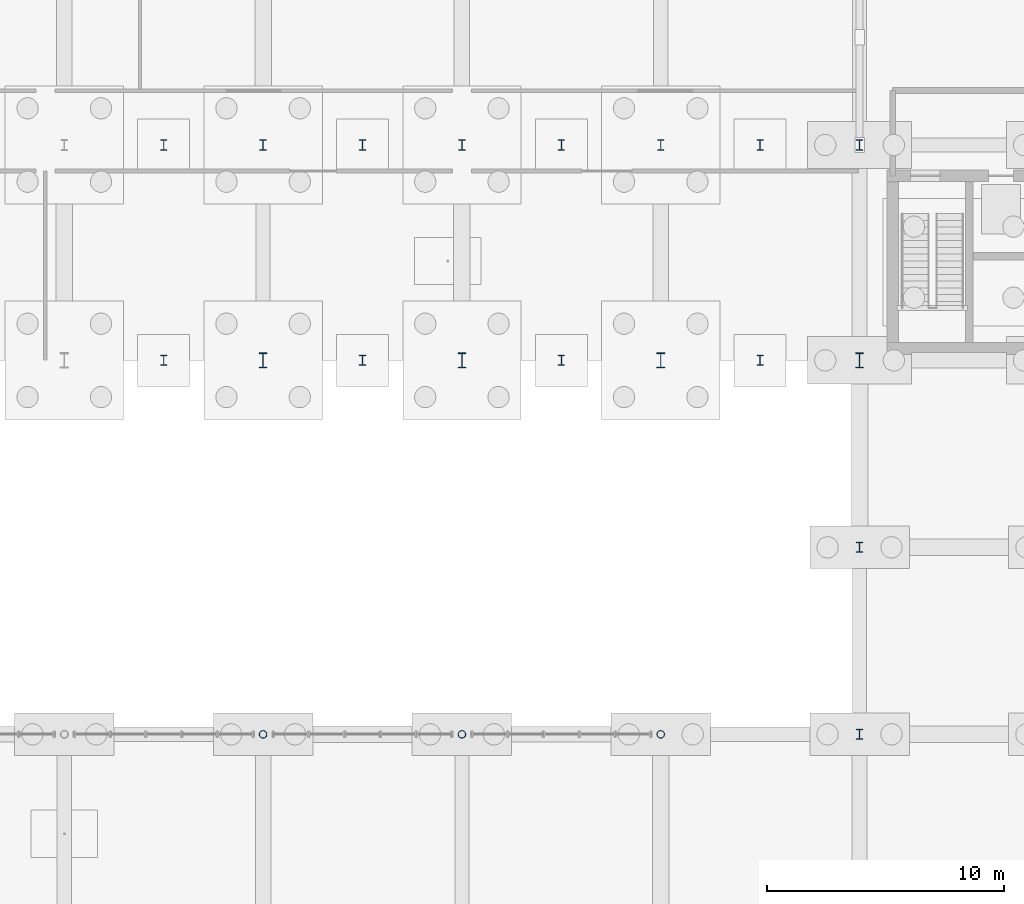
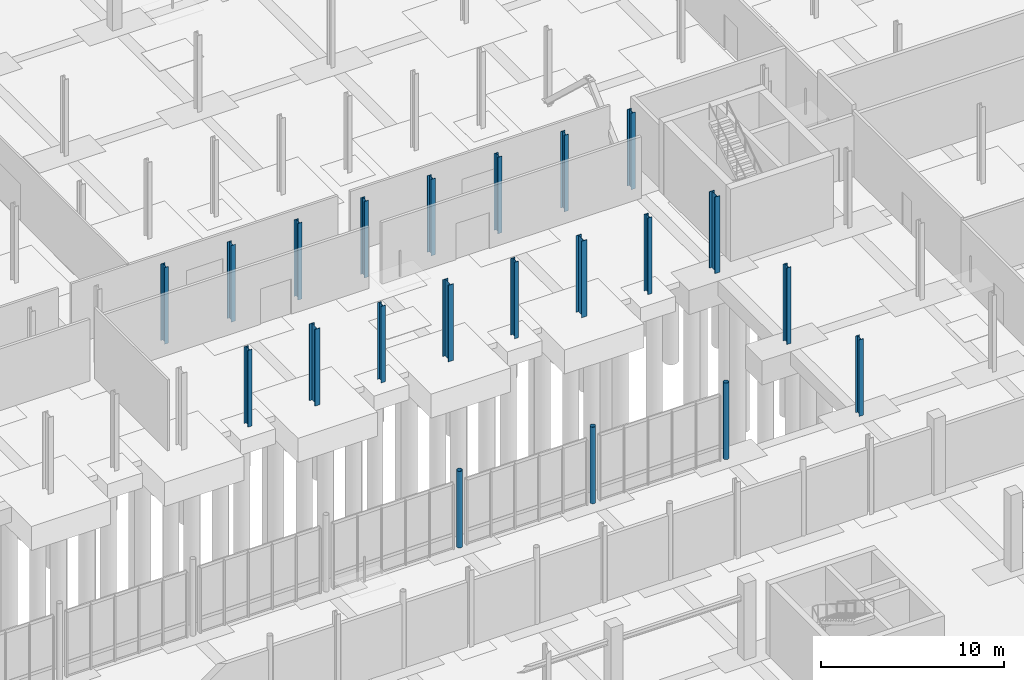
# One storey, part 18 of 119: 21 columns.
"""IFC4 building model written with IfcOpenShell, lengths in metres."""

import ifcopenshell
import ifcopenshell.guid

model = None  # the IFC model being written
_history = None  # IfcOwnerHistory: only IFC2X3 demands one
_inside = {}  # id of a spatial element -> (the spatial element, [elements in it])
_under = {}  # id of a project, library or spatial element -> (it, [spatial elements below it])
_declared = {}  # id of a project -> (the project, [libraries it declares])
_typed = {}  # id of a type object -> (the type object, [elements of that type])
_made_of = {}  # id of a material, layer set ... -> (it, [elements and type objects made of it])


def new_model(schema):
    """Start an empty IFC model of exactly this schema.

    Asked for "IFC4X3", IfcOpenShell would pick the latest addendum, in which some entities
    have other attributes; the version numbers below select the first issue.
    IFC2X3 requires an IfcOwnerHistory on every rooted entity: one is made here for all.
    """
    global model, _history
    if schema == "IFC4X3":
        model = ifcopenshell.file(schema_version=(4, 3, 0, 0))
    else:
        model = ifcopenshell.file(schema=schema)
    _inside.clear()
    _under.clear()
    _declared.clear()
    _typed.clear()
    _made_of.clear()
    _history = None
    if model.schema == "IFC2X3":
        org = make("IfcOrganization", Name="unknown")
        user = make(
            "IfcPersonAndOrganization",
            ThePerson=make("IfcPerson", FamilyName="unknown"),
            TheOrganization=org,
        )
        app = make(
            "IfcApplication",
            ApplicationDeveloper=org,
            Version="unknown",
            ApplicationFullName="unknown",
            ApplicationIdentifier="unknown",
        )
        _history = make(
            "IfcOwnerHistory",
            OwningUser=user,
            OwningApplication=app,
            ChangeAction="ADDED",
            CreationDate=0,
        )
    return model


def make(cls, **values):
    """One entity of the class cls with the attributes given. An attribute that is None is left unset."""
    return model.create_entity(
        cls, **{name: value for name, value in values.items() if value is not None}
    )


def rooted(cls, **values):
    """An entity with a GlobalId (a new one), such as an element, a storey or a relation."""
    return make(cls, GlobalId=ifcopenshell.guid.new(), OwnerHistory=_history, **values)


def si_unit(unit_type, name, prefix=None):
    """IfcSIUnit, for example si_unit("LENGTHUNIT", "METRE", prefix="MILLI")."""
    return make("IfcSIUnit", UnitType=unit_type, Prefix=prefix, Name=name)


def derived_unit(unit_type, elements):
    """IfcDerivedUnit: a product of units, each with its exponent."""
    return make(
        "IfcDerivedUnit",
        Elements=[
            make("IfcDerivedUnitElement", Unit=unit, Exponent=power)
            for unit, power in elements
        ],
        UnitType=unit_type,
    )


def assignment(units):
    """IfcUnitAssignment: the units of a project."""
    return None if units is None else make("IfcUnitAssignment", Units=units)


def point(xyz):
    """IfcCartesianPoint."""
    return None if xyz is None else make("IfcCartesianPoint", Coordinates=xyz)


def direction(xyz):
    """IfcDirection."""
    return None if xyz is None else make("IfcDirection", DirectionRatios=xyz)


def frame(location, z_axis=None, x_axis=None):
    """IfcAxis2Placement3D, a coordinate frame: its origin and axes. An axis left out is left unset."""
    return make(
        "IfcAxis2Placement3D",
        Location=point(location),
        Axis=direction(z_axis),
        RefDirection=direction(x_axis),
    )


def frame_2d(location, x_axis=None):
    """IfcAxis2Placement2D, a coordinate frame in the plane: its origin and x axis."""
    return make(
        "IfcAxis2Placement2D", Location=point(location), RefDirection=direction(x_axis)
    )


def origin():
    """The frame at (0, 0, 0) with its axes left unset."""
    return frame((0.0, 0.0, 0.0))


def origin_2d():
    """The frame at (0, 0) in the plane with its x axis left unset."""
    return frame_2d((0.0, 0.0))


def place(relative_to, where):
    """IfcLocalPlacement: puts the frame where relative to a parent placement (None: the world)."""
    return make(
        "IfcLocalPlacement", PlacementRelTo=relative_to, RelativePlacement=where
    )


def context(
    kind, dimensions, precision=None, world=None, true_north=None, identifier=None
):
    """IfcGeometricRepresentationContext, for example the 3D "Model" context."""
    return make(
        "IfcGeometricRepresentationContext",
        ContextIdentifier=identifier,
        ContextType=kind,
        CoordinateSpaceDimension=dimensions,
        Precision=precision,
        WorldCoordinateSystem=world,
        TrueNorth=true_north,
    )


def subcontext(parent, identifier, kind, view, scale=None):
    """IfcGeometricRepresentationSubContext, for example "Body" below "Model"."""
    return make(
        "IfcGeometricRepresentationSubContext",
        ContextIdentifier=identifier,
        ContextType=kind,
        ParentContext=parent,
        TargetScale=scale,
        TargetView=view,
    )


def project(units=None, contexts=None):
    """IfcProject with its units and contexts."""
    return rooted(
        "IfcProject",
        Name="project",
        RepresentationContexts=contexts,
        UnitsInContext=assignment(units),
    )


def spatial(cls, under=None, at=None, **own):
    """A site, building, storey or space (cls), placed at a placement, below another one or the project."""
    s = rooted(cls, ObjectPlacement=at, **own)
    if under is not None:
        _under.setdefault(under.id(), (under, []))[1].append(s)
    return s


def profile(cls, at=None, kind="AREA", **sizes):
    """A parametric profile (cls). Its sizes go by their IFC names, for example OverallWidth=200.0."""
    return make(cls, ProfileType=kind, Position=at, **sizes)


def hollow_circle(**sizes):
    """IfcCircleHollowProfileDef."""
    return profile("IfcCircleHollowProfileDef", **sizes)


def i_section(**sizes):
    """IfcIShapeProfileDef."""
    return profile("IfcIShapeProfileDef", **sizes)


def extrude(swept, where, along, depth):
    """IfcExtrudedAreaSolid: the profile swept, set in the frame where, extruded along a direction by depth."""
    return make(
        "IfcExtrudedAreaSolid",
        SweptArea=swept,
        Position=where,
        ExtrudedDirection=direction(along),
        Depth=depth,
    )


def shape(context_of_items, identifier, shape_type, items):
    """IfcShapeRepresentation: the items that make up one representation, for example the "Body"."""
    return make(
        "IfcShapeRepresentation",
        ContextOfItems=context_of_items,
        RepresentationIdentifier=identifier,
        RepresentationType=shape_type,
        Items=items,
    )


def material(Name=None, Category=None):
    """IfcMaterial."""
    return make("IfcMaterial", Name=Name, Category=Category)


def material_profile(
    of_material, cross_section, Name=None, Category=None, Priority=None
):
    """IfcMaterialProfile: a cross section and its material."""
    return make(
        "IfcMaterialProfile",
        Name=Name,
        Material=of_material,
        Profile=cross_section,
        Priority=Priority,
        Category=Category,
    )


def profile_set(profiles, Name=None, composite=None):
    """IfcMaterialProfileSet."""
    return make(
        "IfcMaterialProfileSet",
        Name=Name,
        MaterialProfiles=profiles,
        CompositeProfile=composite,
    )


def made_of(thing, what):
    """Note that an element or type object is made of a material, layer set ...; save() writes the relation."""
    if what is not None:
        _made_of.setdefault(what.id(), (what, []))[1].append(thing)
    return thing


def type_object(cls, material=None, **own):
    """A type object (cls), such as IfcWallType, which elements share."""
    return made_of(rooted(cls, **own), material)


def element(
    cls,
    number,
    at=None,
    inside=None,
    cuts=None,
    type_object=None,
    material=None,
    context=None,
    identifier="Body",
    shape_type=None,
    held_by="IfcProductDefinitionShape",
    body=None,
    shapes=None,
    **own,
):
    """One element of the class cls, such as IfcWall. Its Tag is "e" and its number.

    at: its placement. inside: the storey or other place that contains it. cuts: it is an
    opening in that element (IfcRelVoidsElement). A single representation is given by context,
    identifier, shape_type and body (its items); several are given by shapes. held_by: the class
    of the entity that holds the representations. save() writes the other relations.
    """
    e = rooted(cls, Tag="e%d" % number, ObjectPlacement=at, **own)
    if body is not None:
        shapes = [shape(context, identifier, shape_type, body)]
    if shapes is not None:
        e.Representation = make(held_by, Representations=shapes)
    if inside is not None:
        _inside.setdefault(inside.id(), (inside, []))[1].append(e)
    if cuts is not None:
        rooted(
            "IfcRelVoidsElement", RelatingBuildingElement=cuts, RelatedOpeningElement=e
        )
    if type_object is not None:
        _typed.setdefault(type_object.id(), (type_object, []))[1].append(e)
    return made_of(e, material)


def aggregate(whole, parts):
    """IfcRelAggregates: a whole, such as a stair, and the parts it consists of."""
    return rooted("IfcRelAggregates", RelatingObject=whole, RelatedObjects=parts)


def save(model, path):
    """Write the relations noted so far, then the file.

    IfcRelAggregates (storeys below a building ...), IfcRelContainedInSpatialStructure (elements
    in a storey), IfcRelDefinesByType, IfcRelAssociatesMaterial and IfcRelDeclares: one each for
    every whole, place, type object, material and project.
    """
    for whole, parts in _under.values():
        aggregate(whole, parts)
    for where, things in _inside.values():
        rooted(
            "IfcRelContainedInSpatialStructure",
            RelatedElements=things,
            RelatingStructure=where,
        )
    for kind, things in _typed.values():
        rooted("IfcRelDefinesByType", RelatedObjects=things, RelatingType=kind)
    for what, things in _made_of.values():
        rooted("IfcRelAssociatesMaterial", RelatedObjects=things, RelatingMaterial=what)
    for by, libraries in _declared.values():
        rooted("IfcRelDeclares", RelatingContext=by, RelatedDefinitions=libraries)
    model.write(path)


model = new_model("IFC4")

# Units and contexts
model_context = context("Model", 3, precision=1e-05, world=origin(), true_north=direction((0.0, 1.0)))
body_context = subcontext(model_context, "Body", "Model", "MODEL_VIEW")
ifc_project = project(units=[si_unit("LENGTHUNIT", "METRE"), si_unit("AREAUNIT", "SQUARE_METRE"), si_unit("VOLUMEUNIT", "CUBIC_METRE"), si_unit("PLANEANGLEUNIT", "RADIAN"), si_unit("MASSUNIT", "GRAM", prefix="KILO"), derived_unit("THERMALTRANSMITTANCEUNIT", [(si_unit("MASSUNIT", "GRAM", prefix="KILO"), 1), (si_unit("TIMEUNIT", "SECOND"), -3), (si_unit("THERMODYNAMICTEMPERATUREUNIT", "KELVIN"), -1)])], contexts=[model_context])

# Site, building, storey
site_placement = place(None, origin())
site = spatial("IfcSite", under=ifc_project, at=site_placement, CompositionType="ELEMENT")
building_placement = place(site_placement, origin())
building = spatial("IfcBuilding", under=site, at=building_placement, Name="Makaiwela Harbour Ferry Terminal", CompositionType="ELEMENT")
storey_placement = place(building_placement, origin())
storey = spatial("IfcBuildingStorey", under=building, at=storey_placement, Name="L00", CompositionType="ELEMENT", Elevation=0.0)

# Columns
ifc_material_1 = material(Name="Steel ASTM A500 Grade C", Category="steel")
ifc_material_profile_1 = material_profile(ifc_material_1, hollow_circle(Radius=0.162109375, WallThickness=0.0126953125, at=origin_2d()), Name="PIPE12XS")
ifc_profile_set_1 = profile_set([ifc_material_profile_1], Name="Steel ASTM A500 Grade C")
column_type_1 = type_object("IfcColumnType", Name="STR-COL-PIPE12", PredefinedType="COLUMN", material=ifc_profile_set_1)
for number, where, z_axis, x_axis, name in (
    (1, (113.39990234375, 33.60009765625, 0.0), (0.0, 0.0, 1.0), (1.0, 0.0, 0.0), "Structural Column C-07"),
    (2, (121.800048828125, 33.60009765625, 0.0), (0.0, 0.0, 1.0), (1.0, 0.0, 0.0), "Structural Column C-07"),
    (3, (130.199951171875, 33.60009765625, 0.0), (0.0, 0.0, 1.0), (1.0, 0.0, 0.0), "Structural Column C-07"),
):
    element("IfcColumn", number, at=place(storey_placement, frame(where, z_axis=z_axis, x_axis=x_axis)), inside=storey, type_object=column_type_1, Name=name, PredefinedType="COLUMN", context=body_context, shape_type="SweptSolid", body=[
        extrude(hollow_circle(Radius=0.162109375, WallThickness=0.0126953125, at=origin_2d()), origin(), (0.0, 0.0, 1.0), 5.10009765625),
    ])
ifc_material_2 = material(Name="Steel ASTM A992 Grade 50", Category="steel")
ifc_material_profile_2 = material_profile(ifc_material_2, i_section(OverallWidth=0.264892578125, OverallDepth=0.430908203125, WebThickness=0.014892578125, FlangeThickness=0.02490234375, at=origin_2d()), Name="W16X100")
ifc_profile_set_2 = profile_set([ifc_material_profile_2], Name="Steel ASTM A992 Grade 50")
column_type_2 = type_object("IfcColumnType", Name="STR-COL-W16X100", PredefinedType="COLUMN", material=ifc_profile_set_2)
for number, where, z_axis, x_axis, name in (
    (4, (113.39990234375, 58.5, 0.0), (0.0, 0.0, 1.0), (1.0, 0.0, 0.0), "Structural Column C-03"),
    (5, (121.800048828125, 58.5, 0.0), (0.0, 0.0, 1.0), (1.0, 0.0, 0.0), "Structural Column C-03"),
    (6, (130.199951171875, 58.5, 0.0), (0.0, 0.0, 1.0), (1.0, 0.0, 0.0), "Structural Column C-03"),
    (7, (138.60009765625, 58.5, 0.0), (0.0, 0.0, 1.0), (1.0, 0.0, 0.0), "Structural Column C-03"),
    (8, (109.199951171875, 49.39990234375, 0.0), (0.0, 0.0, 1.0), (1.0, 0.0, 0.0), "Structural Column C-03"),
    (9, (109.199951171875, 58.5, 0.0), (0.0, 0.0, 1.0), (1.0, 0.0, 0.0), "Structural Column C-03"),
    (10, (117.60009765625, 49.39990234375, 0.0), (0.0, 0.0, 1.0), (1.0, 0.0, 0.0), "Structural Column C-03"),
    (11, (117.60009765625, 58.5, 0.0), (0.0, 0.0, 1.0), (1.0, 0.0, 0.0), "Structural Column C-03"),
    (12, (126.0, 49.39990234375, 0.0), (0.0, 0.0, 1.0), (1.0, 0.0, 0.0), "Structural Column C-03"),
    (13, (126.0, 58.5, 0.0), (0.0, 0.0, 1.0), (1.0, 0.0, 0.0), "Structural Column C-03"),
    (14, (134.39990234375, 49.39990234375, 0.0), (0.0, 0.0, 1.0), (1.0, 0.0, 0.0), "Structural Column C-03"),
    (15, (134.39990234375, 58.5, 0.0), (0.0, 0.0, 1.0), (1.0, 0.0, 0.0), "Structural Column C-03"),
    (16, (138.60009765625, 33.60009765625, 0.0), (0.0, 0.0, 1.0), (1.0, 0.0, 0.0), "Structural Column C-03"),
    (17, (138.60009765625, 41.5, 0.0), (0.0, 0.0, 1.0), (1.0, 0.0, 0.0), "Structural Column C-03"),
):
    element("IfcColumn", number, at=place(storey_placement, frame(where, z_axis=z_axis, x_axis=x_axis)), inside=storey, type_object=column_type_2, Name=name, PredefinedType="COLUMN", context=body_context, shape_type="SweptSolid", body=[
        extrude(i_section(OverallWidth=0.264892578125, OverallDepth=0.430908203125, WebThickness=0.014892578125, FlangeThickness=0.02490234375, at=origin_2d()), origin(), (0.0, 0.0, 1.0), 5.10009765625),
    ])
ifc_material_profile_3 = material_profile(ifc_material_2, i_section(OverallWidth=0.327880859375, OverallDepth=0.6279296875, WebThickness=0.0166015625, FlangeThickness=0.027587890625, at=origin_2d()), Name="W24X146")
ifc_profile_set_3 = profile_set([ifc_material_profile_3], Name="Steel ASTM A992 Grade 50")
column_type_3 = type_object("IfcColumnType", Name="STR-COL-W24X146", PredefinedType="COLUMN", material=ifc_profile_set_3)
for number, where, z_axis, x_axis, name in (
    (18, (113.39990234375, 49.39990234375, 0.0), (0.0, 0.0, 1.0), (1.0, 0.0, 0.0), "Structural Column C-01"),
    (19, (121.800048828125, 49.39990234375, 0.0), (0.0, 0.0, 1.0), (1.0, 0.0, 0.0), "Structural Column C-01"),
    (20, (130.199951171875, 49.39990234375, 0.0), (0.0, 0.0, 1.0), (1.0, 0.0, 0.0), "Structural Column C-01"),
    (21, (138.60009765625, 49.39990234375, 0.0), (0.0, 0.0, 1.0), (1.0, 0.0, 0.0), "Structural Column C-01"),
):
    element("IfcColumn", number, at=place(storey_placement, frame(where, z_axis=z_axis, x_axis=x_axis)), inside=storey, type_object=column_type_3, Name=name, PredefinedType="COLUMN", context=body_context, shape_type="SweptSolid", body=[
        extrude(i_section(OverallWidth=0.327880859375, OverallDepth=0.6279296875, WebThickness=0.0166015625, FlangeThickness=0.027587890625, at=origin_2d()), origin(), (0.0, 0.0, 1.0), 5.10009765625),
    ])

save(model, "model.ifc")
